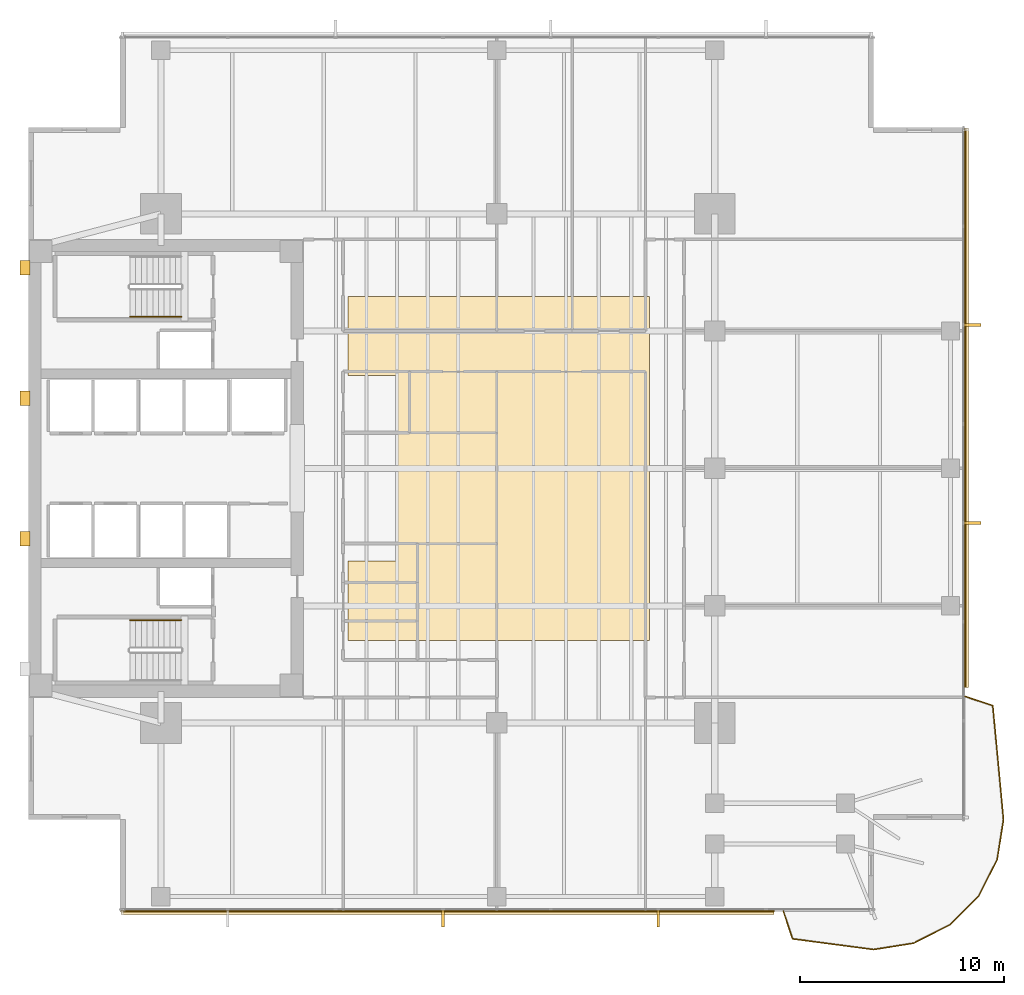
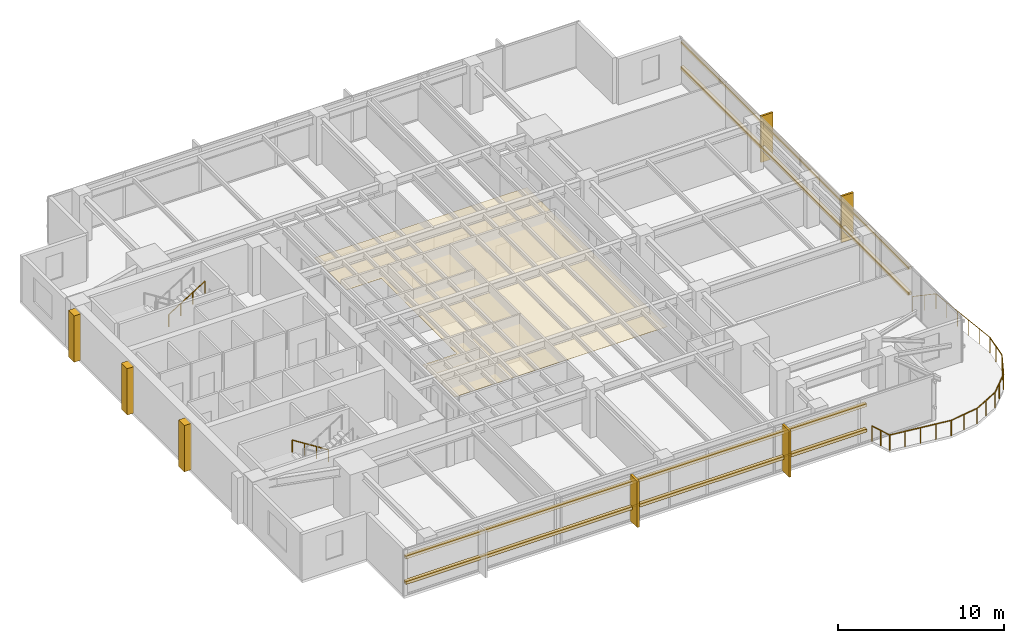
# One storey, part 12 of 14: 12 coverings, 11 railings, 4 shading devices.
"""IFC4 building model written with IfcOpenShell, lengths in metres."""

from ifc_helpers import new_model, si_unit, direction, frame, origin, origin_2d, place, context, subcontext, project, spatial, polyline, rectangle, circle, outline, extrude, material, layer, layer_set, material_profile, profile_set, type_object, element, save


model = new_model("IFC4")

# Units and contexts
model_context = context("Model", 3, precision=1e-05, world=origin(), true_north=direction((0.0, 1.0)))
body_context = subcontext(model_context, "Body", "Model", "MODEL_VIEW")
ifc_project = project(units=[si_unit("LENGTHUNIT", "METRE"), si_unit("AREAUNIT", "SQUARE_METRE"), si_unit("VOLUMEUNIT", "CUBIC_METRE"), si_unit("PLANEANGLEUNIT", "RADIAN"), si_unit("MASSUNIT", "GRAM", prefix="KILO")], contexts=[model_context])

# Site, building, storey
site_placement = place(None, origin())
site = spatial("IfcSite", under=ifc_project, at=site_placement, CompositionType="ELEMENT")
building_placement = place(site_placement, origin())
building = spatial("IfcBuilding", under=site, at=building_placement, Name="Kinhvarn Gate Tower", CompositionType="ELEMENT")
storey_placement = place(building_placement, frame((0.0, 0.0, 148.39990234375)))
storey = spatial("IfcBuildingStorey", under=building, at=storey_placement, Name="L39", CompositionType="ELEMENT", Elevation=148.39990234375)

# Coverings
ifc_material_1 = material(Name="Fired architectural terracotta", Category="masonry")
ifc_layer_1 = layer(ifc_material_1, 0.239990234375)
ifc_layer_set_1 = layer_set([ifc_layer_1], Name="Fired architectural terracotta")
covering_type_1 = type_object("IfcCoveringType", Name="COV-BAG-220", PredefinedType="CLADDING", material=ifc_layer_set_1)
for number, where, name in (
    (1, (0.0, 0.0, 0.940185546875), "Terracotta Horizontal Sunscreen Band TBG-220 (L39)"),
    (2, (0.0, 0.0, 2.81005859375), "Terracotta Horizontal Sunscreen Band TBG-220 (L39)"),
):
    element("IfcCovering", number, at=place(storey_placement, frame(where)), inside=storey, type_object=covering_type_1, Name=name, PredefinedType="CLADDING", context=body_context, shape_type="SweptSolid", body=[
        extrude(outline(polyline([(9.0400390625, 3.570068359375), (41.118896484375, 3.570068359375), (41.118896484375, 3.330078125), (9.0400390625, 3.330078125), (9.0400390625, 3.570068359375)])), origin(), (0.0, 0.0, 1.0), 0.219970703125),
    ])
for number, where, name in (
    (3, (0.0, 0.0, 0.940185546875), "Terracotta Horizontal Sunscreen Band TBG-220 (L39)"),
    (4, (0.0, 0.0, 2.81005859375), "Terracotta Horizontal Sunscreen Band TBG-220 (L39)"),
):
    element("IfcCovering", number, at=place(storey_placement, frame(where)), inside=storey, type_object=covering_type_1, Name=name, PredefinedType="CLADDING", context=body_context, shape_type="SweptSolid", body=[
        extrude(outline(polyline([(50.429931640625, 14.4990234375), (50.429931640625, 41.9599609375), (50.669921875, 41.9599609375), (50.669921875, 14.4990234375), (50.429931640625, 14.4990234375)])), origin(), (0.0, 0.0, 1.0), 0.219970703125),
    ])
ifc_material_2 = material(Name="Mineral-fibre acoustic ceiling tile")
ifc_layer_2 = layer(ifc_material_2, 0.02001953125)
ifc_layer_set_2 = layer_set([ifc_layer_2], Name="Mineral-fibre acoustic ceiling tile")
covering_type_2 = type_object("IfcCoveringType", Name="COV-CEIL-20", PredefinedType="CEILING", material=ifc_layer_set_2)
covering_1_placement = place(storey_placement, frame((0.0, 0.0, 2.650146484375)))
element("IfcCovering", 5, at=covering_1_placement, inside=storey, type_object=covering_type_2, Name="Suspended Acoustic Ceiling Tile (L39-1)", PredefinedType="CEILING", context=body_context, shape_type="SweptSolid", body=[
    extrude(outline(polyline([(35.0, 33.699951171875), (35.0, 16.800048828125), (20.199951171875, 16.800048828125), (20.199951171875, 20.699951171875), (22.60009765625, 20.699951171875), (22.60009765625, 29.800048828125), (20.199951171875, 29.800048828125), (20.199951171875, 33.699951171875), (35.0, 33.699951171875)])), origin(), (0.0, 0.0, 1.0), 0.02001953125),
])
ifc_layer_3 = layer(ifc_material_1, 0.139892578125)
ifc_layer_set_3 = layer_set([ifc_layer_3], Name="Fired architectural terracotta")
covering_type_3 = type_object("IfcCoveringType", Name="COV-FIN-850", PredefinedType="CLADDING", material=ifc_layer_set_3)
covering_2_placement = place(storey_placement, frame((0.0, 0.0, -0.02001953125)))
element("IfcCovering", 6, at=covering_2_placement, inside=storey, type_object=covering_type_3, Name="Vertical Terracotta Expressive Fin TFN-850 (L39)", PredefinedType="CLADDING", context=body_context, shape_type="SweptSolid", body=[
    extrude(outline(polyline([(24.787109375, 3.580078125), (24.927001953125, 3.580078125), (24.927001953125, 2.72998046875), (24.787109375, 2.72998046875), (24.787109375, 3.580078125)])), origin(), (0.0, 0.0, 1.0), 3.41015625),
])
covering_3_placement = place(storey_placement, frame((0.0, 0.0, -0.02001953125)))
element("IfcCovering", 7, at=covering_3_placement, inside=storey, type_object=covering_type_3, Name="Vertical Terracotta Expressive Fin TFN-850 (L39)", PredefinedType="CLADDING", context=body_context, shape_type="SweptSolid", body=[
    extrude(outline(polyline([(35.358642578125, 3.580078125), (35.49853515625, 3.580078125), (35.49853515625, 2.72998046875), (35.358642578125, 2.72998046875), (35.358642578125, 3.580078125)])), origin(), (0.0, 0.0, 1.0), 3.41015625),
])
covering_4_placement = place(storey_placement, frame((0.0, 0.0, -0.02001953125)))
element("IfcCovering", 8, at=covering_4_placement, inside=storey, type_object=covering_type_3, Name="Vertical Terracotta Expressive Fin TFN-850 (L39)", PredefinedType="CLADDING", context=body_context, shape_type="SweptSolid", body=[
    extrude(outline(polyline([(50.419921875, 22.50146484375), (50.419921875, 22.641357421875), (51.27001953125, 22.641357421875), (51.27001953125, 22.50146484375), (50.419921875, 22.50146484375)])), origin(), (0.0, 0.0, 1.0), 3.41015625),
])
covering_5_placement = place(storey_placement, frame((0.0, 0.0, -0.02001953125)))
element("IfcCovering", 9, at=covering_5_placement, inside=storey, type_object=covering_type_3, Name="Vertical Terracotta Expressive Fin TFN-850 (L39)", PredefinedType="CLADDING", context=body_context, shape_type="SweptSolid", body=[
    extrude(outline(polyline([(50.419921875, 32.2158203125), (50.419921875, 32.355712890625), (51.27001953125, 32.355712890625), (51.27001953125, 32.2158203125), (50.419921875, 32.2158203125)])), origin(), (0.0, 0.0, 1.0), 3.41015625),
])
ifc_material_3 = material(Name="Precast white architectural concrete C40/50", Category="concrete")
ifc_layer_4 = layer(ifc_material_3, 0.47998046875)
ifc_layer_set_4 = layer_set([ifc_layer_4], Name="Precast white architectural concrete C40/50")
covering_type_4 = type_object("IfcCoveringType", Name="COV-RIB-450", PredefinedType="CLADDING", material=ifc_layer_set_4)
covering_6_placement = place(storey_placement, frame((0.0, 0.0, -0.02001953125)))
element("IfcCovering", 10, at=covering_6_placement, inside=storey, type_object=covering_type_4, Name="West Core Sculptural Concrete Relief Rib CRB-450 (L39)", PredefinedType="CLADDING", context=body_context, shape_type="SweptSolid", body=[
    extrude(outline(polyline([(4.080078125, 21.449951171875), (4.56005859375, 21.449951171875), (4.56005859375, 22.14990234375), (4.080078125, 22.14990234375), (4.080078125, 21.449951171875)])), origin(), (0.0, 0.0, 1.0), 3.41015625),
])
covering_7_placement = place(storey_placement, frame((0.0, 0.0, -0.02001953125)))
element("IfcCovering", 11, at=covering_7_placement, inside=storey, type_object=covering_type_4, Name="West Core Sculptural Concrete Relief Rib CRB-450 (L39)", PredefinedType="CLADDING", context=body_context, shape_type="SweptSolid", body=[
    extrude(outline(polyline([(4.080078125, 28.35009765625), (4.56005859375, 28.35009765625), (4.56005859375, 29.050048828125), (4.080078125, 29.050048828125), (4.080078125, 28.35009765625)])), origin(), (0.0, 0.0, 1.0), 3.41015625),
])
covering_8_placement = place(storey_placement, frame((0.0, 0.0, -0.02001953125)))
element("IfcCovering", 12, at=covering_8_placement, inside=storey, type_object=covering_type_4, Name="West Core Sculptural Concrete Relief Rib CRB-450 (L39)", PredefinedType="CLADDING", context=body_context, shape_type="SweptSolid", body=[
    extrude(outline(polyline([(4.080078125, 34.75), (4.56005859375, 34.75), (4.56005859375, 35.449951171875), (4.080078125, 35.449951171875), (4.080078125, 34.75)])), origin(), (0.0, 0.0, 1.0), 3.41015625),
])

# Railings
ifc_material_4 = material(Name="Clear low-e double glazing", Category="glass")
railing_type_1 = type_object("IfcRailingType", Name="RL-BAL-1150", PredefinedType="BALUSTRADE", material=ifc_material_4)
railing_1_placement = place(storey_placement, frame((41.569091796875, 3.5, 0.0)))
element("IfcRailing", 13, at=railing_1_placement, inside=storey, type_object=railing_type_1, Name="S-Carve Balcony Guardrail Seg 1 (L39)", PredefinedType="BALUSTRADE", context=body_context, shape_type="SweptSolid", body=[
    extrude(circle(Radius=0.02392578125, at=origin_2d()), frame((0.0, 0.0, 1.1259765625), z_axis=(0.315303774305, -0.948990795482, 0.0), x_axis=(0.948990795482, 0.315303774305, 0.0)), (0.0, 0.0, 1.0), 1.427001953125),
    extrude(circle(Radius=0.02099609375, at=origin_2d()), origin(), (0.0, 0.0, 1.0), 1.101806640625),
    extrude(circle(Radius=0.02099609375, at=origin_2d()), frame((0.22509765625, -0.67724609375, 0.0)), (0.0, 0.0, 1.0), 1.101806640625),
    extrude(circle(Radius=0.02099609375, at=origin_2d()), frame((0.449951171875, -1.354248046875, 0.0)), (0.0, 0.0, 1.0), 1.101806640625),
])
railing_2_placement = place(storey_placement, frame((42.01904296875, 2.145751953125, 0.0)))
element("IfcRailing", 14, at=railing_2_placement, inside=storey, type_object=railing_type_1, Name="S-Carve Balcony Guardrail Seg 2 (L39)", PredefinedType="BALUSTRADE", context=body_context, shape_type="SweptSolid", body=[
    extrude(circle(Radius=0.02392578125, at=origin_2d()), frame((0.0, 0.0, 1.1259765625), z_axis=(0.991355928912, -0.131199932208, 0.0), x_axis=(0.131199932208, 0.991355928912, 0.0)), (0.0, 0.0, 1.0), 4.015625),
    extrude(circle(Radius=0.02099609375, at=origin_2d()), origin(), (0.0, 0.0, 1.0), 1.101806640625),
    extrude(circle(Radius=0.02099609375, at=origin_2d()), frame((0.9951171875, -0.1318359375, 0.0)), (0.0, 0.0, 1.0), 1.101806640625),
    extrude(circle(Radius=0.02099609375, at=origin_2d()), frame((1.990478515625, -0.263427734375, 0.0)), (0.0, 0.0, 1.0), 1.101806640625),
    extrude(circle(Radius=0.02099609375, at=origin_2d()), frame((2.98583984375, -0.39501953125, 0.0)), (0.0, 0.0, 1.0), 1.101806640625),
    extrude(circle(Radius=0.02099609375, at=origin_2d()), frame((3.98095703125, -0.52685546875, 0.0)), (0.0, 0.0, 1.0), 1.101806640625),
])
railing_3_placement = place(storey_placement, frame((46.0, 1.618896484375, 0.0)))
element("IfcRailing", 15, at=railing_3_placement, inside=storey, type_object=railing_type_1, Name="S-Carve Balcony Guardrail Seg 3 (L39)", PredefinedType="BALUSTRADE", context=body_context, shape_type="SweptSolid", body=[
    extrude(circle(Radius=0.02392578125, at=origin_2d()), frame((0.0, 0.0, 1.1259765625), z_axis=(0.987671569308, 0.156540318068, 0.0), x_axis=(-0.156540318068, 0.987671569308, 0.0)), (0.0, 0.0, 1.0), 1.996337890625),
    extrude(circle(Radius=0.02099609375, at=origin_2d()), origin(), (0.0, 0.0, 1.0), 1.101806640625),
    extrude(circle(Radius=0.02099609375, at=origin_2d()), frame((0.98583984375, 0.15625, 0.0)), (0.0, 0.0, 1.0), 1.101806640625),
    extrude(circle(Radius=0.02099609375, at=origin_2d()), frame((1.9716796875, 0.3125, 0.0)), (0.0, 0.0, 1.0), 1.101806640625),
])
railing_4_placement = place(storey_placement, frame((47.9716796875, 1.931396484375, 0.0)))
element("IfcRailing", 16, at=railing_4_placement, inside=storey, type_object=railing_type_1, Name="S-Carve Balcony Guardrail Seg 4 (L39)", PredefinedType="BALUSTRADE", context=body_context, shape_type="SweptSolid", body=[
    extrude(circle(Radius=0.02392578125, at=origin_2d()), frame((0.0, 0.0, 1.1259765625), z_axis=(0.891051627731, 0.453901968181, 0.0), x_axis=(-0.453901968181, 0.891051627731, 0.0)), (0.0, 0.0, 1.0), 1.99658203125),
    extrude(circle(Radius=0.02099609375, at=origin_2d()), origin(), (0.0, 0.0, 1.0), 1.101806640625),
    extrude(circle(Radius=0.02099609375, at=origin_2d()), frame((0.8896484375, 0.453125, 0.0)), (0.0, 0.0, 1.0), 1.101806640625),
    extrude(circle(Radius=0.02099609375, at=origin_2d()), frame((1.779052734375, 0.90625, 0.0)), (0.0, 0.0, 1.0), 1.101806640625),
])
railing_5_placement = place(storey_placement, frame((49.750732421875, 2.837646484375, 0.0)))
element("IfcRailing", 17, at=railing_5_placement, inside=storey, type_object=railing_type_1, Name="S-Carve Balcony Guardrail Seg 5 (L39)", PredefinedType="BALUSTRADE", context=body_context, shape_type="SweptSolid", body=[
    extrude(circle(Radius=0.02392578125, at=origin_2d()), frame((0.0, 0.0, 1.1259765625), z_axis=(0.707106781187, 0.707106781187, 0.0), x_axis=(-0.707106781187, 0.707106781187, 0.0)), (0.0, 0.0, 1.0), 1.996337890625),
    extrude(circle(Radius=0.02099609375, at=origin_2d()), origin(), (0.0, 0.0, 1.0), 1.101806640625),
    extrude(circle(Radius=0.02099609375, at=origin_2d()), frame((0.705810546875, 0.705810546875, 0.0)), (0.0, 0.0, 1.0), 1.101806640625),
    extrude(circle(Radius=0.02099609375, at=origin_2d()), frame((1.41162109375, 1.41162109375, 0.0)), (0.0, 0.0, 1.0), 1.101806640625),
])
railing_6_placement = place(storey_placement, frame((51.162353515625, 4.249267578125, 0.0)))
element("IfcRailing", 18, at=railing_6_placement, inside=storey, type_object=railing_type_1, Name="S-Carve Balcony Guardrail Seg 6 (L39)", PredefinedType="BALUSTRADE", context=body_context, shape_type="SweptSolid", body=[
    extrude(circle(Radius=0.02392578125, at=origin_2d()), frame((0.0, 0.0, 1.1259765625), z_axis=(0.453901968181, 0.891051627731, 0.0), x_axis=(-0.891051627731, 0.453901968181, 0.0)), (0.0, 0.0, 1.0), 1.99658203125),
    extrude(circle(Radius=0.02099609375, at=origin_2d()), origin(), (0.0, 0.0, 1.0), 1.101806640625),
    extrude(circle(Radius=0.02099609375, at=origin_2d()), frame((0.453125, 0.8896484375, 0.0)), (0.0, 0.0, 1.0), 1.101806640625),
    extrude(circle(Radius=0.02099609375, at=origin_2d()), frame((0.90625, 1.779052734375, 0.0)), (0.0, 0.0, 1.0), 1.101806640625),
])
railing_7_placement = place(storey_placement, frame((52.068603515625, 6.0283203125, 0.0)))
element("IfcRailing", 19, at=railing_7_placement, inside=storey, type_object=railing_type_1, Name="S-Carve Balcony Guardrail Seg 7 (L39)", PredefinedType="BALUSTRADE", context=body_context, shape_type="SweptSolid", body=[
    extrude(circle(Radius=0.02392578125, at=origin_2d()), frame((0.0, 0.0, 1.1259765625), z_axis=(0.156540318068, 0.987671569308, 0.0), x_axis=(-0.987671569308, 0.156540318068, 0.0)), (0.0, 0.0, 1.0), 1.996337890625),
    extrude(circle(Radius=0.02099609375, at=origin_2d()), origin(), (0.0, 0.0, 1.0), 1.101806640625),
    extrude(circle(Radius=0.02099609375, at=origin_2d()), frame((0.15625, 0.98583984375, 0.0)), (0.0, 0.0, 1.0), 1.101806640625),
    extrude(circle(Radius=0.02099609375, at=origin_2d()), frame((0.3125, 1.9716796875, 0.0)), (0.0, 0.0, 1.0), 1.101806640625),
])
railing_8_placement = place(storey_placement, frame((52.381103515625, 8.0, 0.0)))
element("IfcRailing", 20, at=railing_8_placement, inside=storey, type_object=railing_type_1, Name="S-Carve Balcony Guardrail Seg 8 (L39)", PredefinedType="BALUSTRADE", context=body_context, shape_type="SweptSolid", body=[
    extrude(circle(Radius=0.02392578125, at=origin_2d()), frame((0.0, 0.0, 1.1259765625), z_axis=(-0.093682280805, 0.995602144565, 0.0), x_axis=(-0.995602144565, -0.093682280805, 0.0)), (0.0, 0.0, 1.0), 5.623779296875),
    extrude(circle(Radius=0.02099609375, at=origin_2d()), origin(), (0.0, 0.0, 1.0), 1.101806640625),
    extrude(circle(Radius=0.02099609375, at=origin_2d()), frame((-0.10546875, 1.119873046875, 0.0)), (0.0, 0.0, 1.0), 1.101806640625),
    extrude(circle(Radius=0.02099609375, at=origin_2d()), frame((-0.210693359375, 2.23974609375, 0.0)), (0.0, 0.0, 1.0), 1.101806640625),
    extrude(circle(Radius=0.02099609375, at=origin_2d()), frame((-0.316162109375, 3.359375, 0.0)), (0.0, 0.0, 1.0), 1.101806640625),
    extrude(circle(Radius=0.02099609375, at=origin_2d()), frame((-0.42138671875, 4.479248046875, 0.0)), (0.0, 0.0, 1.0), 1.101806640625),
    extrude(circle(Radius=0.02099609375, at=origin_2d()), frame((-0.52685546875, 5.59912109375, 0.0)), (0.0, 0.0, 1.0), 1.101806640625),
])
railing_9_placement = place(storey_placement, frame((51.854248046875, 13.59912109375, 0.0)))
element("IfcRailing", 21, at=railing_9_placement, inside=storey, type_object=railing_type_1, Name="S-Carve Balcony Guardrail Seg 9 (L39)", PredefinedType="BALUSTRADE", context=body_context, shape_type="SweptSolid", body=[
    extrude(circle(Radius=0.02392578125, at=origin_2d()), frame((0.0, 0.0, 1.1259765625), z_axis=(-0.948990795482, 0.315303774305, 0.0), x_axis=(-0.315303774305, -0.948990795482, 0.0)), (0.0, 0.0, 1.0), 1.427001953125),
    extrude(circle(Radius=0.02099609375, at=origin_2d()), origin(), (0.0, 0.0, 1.0), 1.101806640625),
    extrude(circle(Radius=0.02099609375, at=origin_2d()), frame((-0.67724609375, 0.22509765625, 0.0)), (0.0, 0.0, 1.0), 1.101806640625),
    extrude(circle(Radius=0.02099609375, at=origin_2d()), frame((-1.354248046875, 0.449951171875, 0.0)), (0.0, 0.0, 1.0), 1.101806640625),
])
ifc_material_5 = material(Name="Steel S355", Category="steel")
railing_type_2 = type_object("IfcRailingType", Name="RL-ST-HND", PredefinedType="HANDRAIL", material=ifc_material_5)
railing_10_placement = place(storey_placement, frame((12.0, 17.800048828125, 0.177490234375)))
element("IfcRailing", 22, at=railing_10_placement, inside=storey, type_object=railing_type_2, Name="L39 ST1 stair handrail 1", PredefinedType="HANDRAIL", context=body_context, shape_type="SweptSolid", body=[
    extrude(circle(Radius=0.02392578125, at=origin_2d()), frame((0.0, 0.0, 0.8759765625), z_axis=(-0.84456994832, 0.0, 0.535445237532), x_axis=(0.0, -1.0, 0.0)), (0.0, 0.0, 1.0), 2.98388671875),
    extrude(circle(Radius=0.02099609375, at=origin_2d()), origin(), (0.0, 0.0, 1.0), 0.851806640625),
    extrude(circle(Radius=0.02099609375, at=origin_2d()), frame((-0.840087890625, 0.0, 0.532470703125)), (0.0, 0.0, 1.0), 0.851806640625),
    extrude(circle(Radius=0.02099609375, at=origin_2d()), frame((-1.679931640625, 0.0, 1.065185546875)), (0.0, 0.0, 1.0), 0.851806640625),
    extrude(circle(Radius=0.02099609375, at=origin_2d()), frame((-2.52001953125, 0.0, 1.59765625)), (0.0, 0.0, 1.0), 0.851806640625),
])
railing_11_placement = place(storey_placement, frame((9.47998046875, 32.699951171875, 1.95263671875)))
element("IfcRailing", 23, at=railing_11_placement, inside=storey, type_object=railing_type_2, Name="L39 ST2 stair handrail 2", PredefinedType="HANDRAIL", context=body_context, shape_type="SweptSolid", body=[
    extrude(circle(Radius=0.02392578125, at=origin_2d()), frame((0.0, 0.0, 0.8759765625), z_axis=(0.84460694969, 0.0, 0.535386869969), x_axis=(0.0, 1.0, 0.0)), (0.0, 0.0, 1.0), 2.983642578125),
    extrude(circle(Radius=0.02099609375, at=origin_2d()), origin(), (0.0, 0.0, 1.0), 0.851806640625),
    extrude(circle(Radius=0.02099609375, at=origin_2d()), frame((0.840087890625, 0.0, 0.532470703125)), (0.0, 0.0, 1.0), 0.851806640625),
    extrude(circle(Radius=0.02099609375, at=origin_2d()), frame((1.679931640625, 0.0, 1.06494140625)), (0.0, 0.0, 1.0), 0.851806640625),
    extrude(circle(Radius=0.02099609375, at=origin_2d()), frame((2.52001953125, 0.0, 1.597412109375)), (0.0, 0.0, 1.0), 0.851806640625),
])

# Shading devices
ifc_material_profile = material_profile(ifc_material_1, rectangle(XDim=0.050048828125, YDim=0.1201171875, at=origin_2d()), Name="TC 50x120")
ifc_profile_set = profile_set([ifc_material_profile], Name="Fired architectural terracotta")
shading_device_type = type_object("IfcShadingDeviceType", Name="SHD-BAG-140", PredefinedType="USERDEFINED", material=ifc_profile_set)
for number, where, z_axis, x_axis, name in (
    (24, (9.0400390625, 3.5, 1.050048828125), (1.0, 0.0, 0.0), (0.0, 1.0, 0.0), "Upper Tower Terracotta Baguette Screen Rod 50x120 mm (L39)"),
    (25, (9.0400390625, 3.5, 2.920166015625), (1.0, 0.0, 0.0), (0.0, 1.0, 0.0), "Upper Tower Terracotta Baguette Screen Rod 50x120 mm (L39)"),
):
    element("IfcShadingDevice", number, at=place(storey_placement, frame(where, z_axis=z_axis, x_axis=x_axis)), inside=storey, type_object=shading_device_type, Name=name, ObjectType="BAGUETTE", PredefinedType="USERDEFINED", context=body_context, shape_type="SweptSolid", body=[
        extrude(rectangle(XDim=0.050048828125, YDim=0.1201171875, at=origin_2d()), origin(), (0.0, 0.0, 1.0), 32.078857421875),
    ])
for number, where, z_axis, x_axis, name in (
    (26, (50.5, 14.4990234375, 1.050048828125), (0.0, 1.0, 0.0), (-1.0, 0.0, 0.0), "Upper Tower Terracotta Baguette Screen Rod 50x120 mm (L39)"),
    (27, (50.5, 14.4990234375, 2.920166015625), (0.0, 1.0, 0.0), (-1.0, 0.0, 0.0), "Upper Tower Terracotta Baguette Screen Rod 50x120 mm (L39)"),
):
    element("IfcShadingDevice", number, at=place(storey_placement, frame(where, z_axis=z_axis, x_axis=x_axis)), inside=storey, type_object=shading_device_type, Name=name, ObjectType="BAGUETTE", PredefinedType="USERDEFINED", context=body_context, shape_type="SweptSolid", body=[
        extrude(rectangle(XDim=0.050048828125, YDim=0.1201171875, at=origin_2d()), origin(), (0.0, 0.0, 1.0), 27.4609375),
    ])

save(model, "model.ifc")
